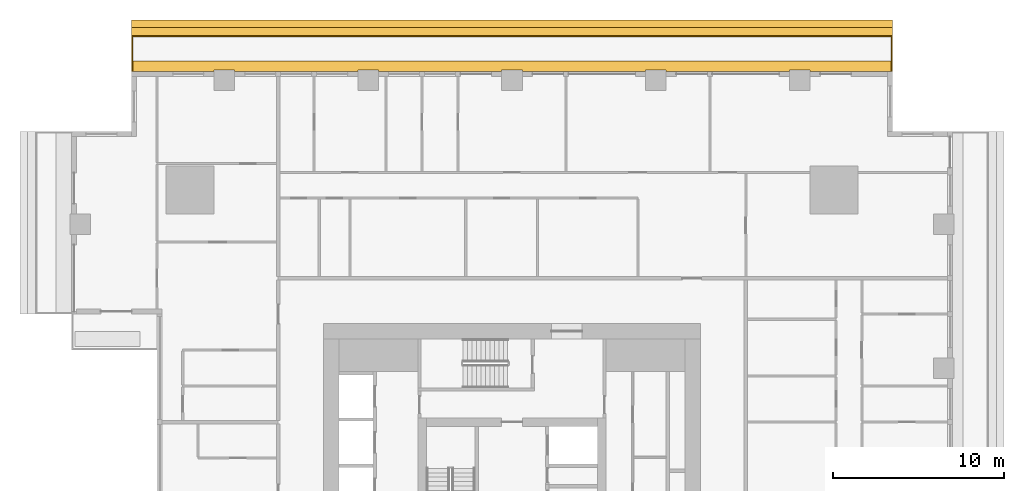
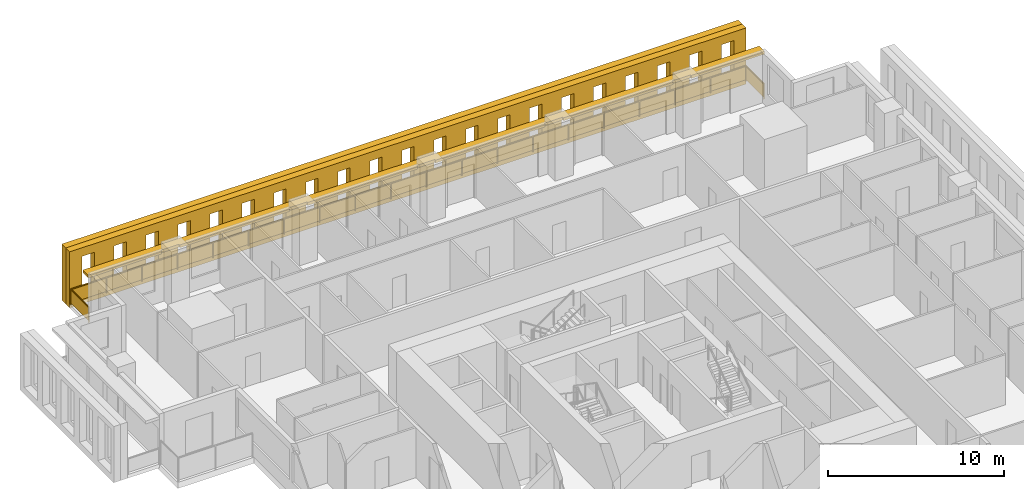
# One storey, part 14 of 14: 3 shading devices, 1 railing.
"""IFC4 building model written with IfcOpenShell, lengths in metres."""

from ifc_helpers import new_model, si_unit, direction, frame, origin, origin_2d, place, context, subcontext, project, spatial, polyline, rectangle, outline, extrude, material, layer, layer_set, type_object, element, save


model = new_model("IFC4")

# Units and contexts
model_context = context("Model", 3, precision=1e-05, world=origin(), true_north=direction((0.0, 1.0)))
body_context = subcontext(model_context, "Body", "Model", "MODEL_VIEW")
ifc_project = project(units=[si_unit("LENGTHUNIT", "METRE"), si_unit("AREAUNIT", "SQUARE_METRE"), si_unit("VOLUMEUNIT", "CUBIC_METRE"), si_unit("PLANEANGLEUNIT", "RADIAN"), si_unit("MASSUNIT", "GRAM", prefix="KILO")], contexts=[model_context])

# Site, building, storey
site_placement = place(None, origin())
site = spatial("IfcSite", under=ifc_project, at=site_placement, CompositionType="ELEMENT")
building_placement = place(site_placement, origin())
building = spatial("IfcBuilding", under=site, at=building_placement, Name="Khepri Terraces", CompositionType="ELEMENT")
storey_placement = place(building_placement, frame((0.0, 0.0, 110.39990234375)))
storey = spatial("IfcBuildingStorey", under=building, at=storey_placement, Name="L26", CompositionType="ELEMENT", Elevation=110.39990234375)

# Railing
ifc_material_1 = material(Name="Stainless steel grade 316", Category="steel")
railing_type = type_object("IfcRailingType", Name="GRD-BAL-1100", PredefinedType="GUARDRAIL", material=ifc_material_1)
railing_placement = place(storey_placement, frame((22.169921875, 25.719970703125, 0.0)))
element("IfcRailing", 1, at=railing_placement, inside=storey, type_object=railing_type, Name="Balcony guard L26 N", PredefinedType="GUARDRAIL", context=body_context, shape_type="SweptSolid", body=[
    extrude(rectangle(XDim=0.050048828125, YDim=0.06005859375, at=origin_2d()), frame((0.0, 0.0, 1.070068359375), z_axis=(0.0, 1.0, 0.0), x_axis=(-1.0, 0.0, 0.0)), (0.0, 0.0, 1.0), 2.050048828125),
    extrude(rectangle(XDim=2.0, YDim=0.011962890625, at=origin_2d()), frame((0.0, 1.02490234375, 0.10009765625), z_axis=(0.0, 0.0, 1.0), x_axis=(0.0, 1.0, 0.0)), (0.0, 0.0, 1.0), 0.93994140625),
    extrude(rectangle(XDim=0.050048828125, YDim=0.06005859375, at=origin_2d()), frame((0.0, 2.050048828125, 1.070068359375), z_axis=(-1.0, 0.0, 0.0), x_axis=(0.0, -1.0, 0.0)), (0.0, 0.0, 1.0), 44.33984375),
    extrude(rectangle(XDim=2.28369140625, YDim=0.011962890625, at=origin_2d()), frame((-1.166748046875, 2.050048828125, 0.10009765625), z_axis=(0.0, 0.0, 1.0), x_axis=(-1.0, 0.0, 0.0)), (0.0, 0.0, 1.0), 0.93994140625),
    extrude(rectangle(XDim=2.28369140625, YDim=0.011962890625, at=origin_2d()), frame((-3.50048828125, 2.050048828125, 0.10009765625), z_axis=(0.0, 0.0, 1.0), x_axis=(-1.0, 0.0, 0.0)), (0.0, 0.0, 1.0), 0.93994140625),
    extrude(rectangle(XDim=2.28369140625, YDim=0.011962890625, at=origin_2d()), frame((-5.834228515625, 2.050048828125, 0.10009765625), z_axis=(0.0, 0.0, 1.0), x_axis=(-1.0, 0.0, 0.0)), (0.0, 0.0, 1.0), 0.93994140625),
    extrude(rectangle(XDim=2.28369140625, YDim=0.011962890625, at=origin_2d()), frame((-8.16796875, 2.050048828125, 0.10009765625), z_axis=(0.0, 0.0, 1.0), x_axis=(-1.0, 0.0, 0.0)), (0.0, 0.0, 1.0), 0.93994140625),
    extrude(rectangle(XDim=2.28369140625, YDim=0.011962890625, at=origin_2d()), frame((-10.50146484375, 2.050048828125, 0.10009765625), z_axis=(0.0, 0.0, 1.0), x_axis=(-1.0, 0.0, 0.0)), (0.0, 0.0, 1.0), 0.93994140625),
    extrude(rectangle(XDim=2.28369140625, YDim=0.011962890625, at=origin_2d()), frame((-12.835205078125, 2.050048828125, 0.10009765625), z_axis=(0.0, 0.0, 1.0), x_axis=(-1.0, 0.0, 0.0)), (0.0, 0.0, 1.0), 0.93994140625),
    extrude(rectangle(XDim=2.28369140625, YDim=0.011962890625, at=origin_2d()), frame((-15.1689453125, 2.050048828125, 0.10009765625), z_axis=(0.0, 0.0, 1.0), x_axis=(-1.0, 0.0, 0.0)), (0.0, 0.0, 1.0), 0.93994140625),
    extrude(rectangle(XDim=2.28369140625, YDim=0.011962890625, at=origin_2d()), frame((-17.502685546875, 2.050048828125, 0.10009765625), z_axis=(0.0, 0.0, 1.0), x_axis=(-1.0, 0.0, 0.0)), (0.0, 0.0, 1.0), 0.93994140625),
    extrude(rectangle(XDim=2.28369140625, YDim=0.011962890625, at=origin_2d()), frame((-19.836181640625, 2.050048828125, 0.10009765625), z_axis=(0.0, 0.0, 1.0), x_axis=(-1.0, 0.0, 0.0)), (0.0, 0.0, 1.0), 0.93994140625),
    extrude(rectangle(XDim=2.28369140625, YDim=0.011962890625, at=origin_2d()), frame((-22.169921875, 2.050048828125, 0.10009765625), z_axis=(0.0, 0.0, 1.0), x_axis=(-1.0, 0.0, 0.0)), (0.0, 0.0, 1.0), 0.93994140625),
    extrude(rectangle(XDim=2.28369140625, YDim=0.011962890625, at=origin_2d()), frame((-24.503662109375, 2.050048828125, 0.10009765625), z_axis=(0.0, 0.0, 1.0), x_axis=(-1.0, 0.0, 0.0)), (0.0, 0.0, 1.0), 0.93994140625),
    extrude(rectangle(XDim=2.28369140625, YDim=0.011962890625, at=origin_2d()), frame((-26.837158203125, 2.050048828125, 0.10009765625), z_axis=(0.0, 0.0, 1.0), x_axis=(-1.0, 0.0, 0.0)), (0.0, 0.0, 1.0), 0.93994140625),
    extrude(rectangle(XDim=2.28369140625, YDim=0.011962890625, at=origin_2d()), frame((-29.1708984375, 2.050048828125, 0.10009765625), z_axis=(0.0, 0.0, 1.0), x_axis=(-1.0, 0.0, 0.0)), (0.0, 0.0, 1.0), 0.93994140625),
    extrude(rectangle(XDim=2.28369140625, YDim=0.011962890625, at=origin_2d()), frame((-31.504638671875, 2.050048828125, 0.10009765625), z_axis=(0.0, 0.0, 1.0), x_axis=(-1.0, 0.0, 0.0)), (0.0, 0.0, 1.0), 0.93994140625),
    extrude(rectangle(XDim=2.28369140625, YDim=0.011962890625, at=origin_2d()), frame((-33.83837890625, 2.050048828125, 0.10009765625), z_axis=(0.0, 0.0, 1.0), x_axis=(-1.0, 0.0, 0.0)), (0.0, 0.0, 1.0), 0.93994140625),
    extrude(rectangle(XDim=2.28369140625, YDim=0.011962890625, at=origin_2d()), frame((-36.171875, 2.050048828125, 0.10009765625), z_axis=(0.0, 0.0, 1.0), x_axis=(-1.0, 0.0, 0.0)), (0.0, 0.0, 1.0), 0.93994140625),
    extrude(rectangle(XDim=2.28369140625, YDim=0.011962890625, at=origin_2d()), frame((-38.505615234375, 2.050048828125, 0.10009765625), z_axis=(0.0, 0.0, 1.0), x_axis=(-1.0, 0.0, 0.0)), (0.0, 0.0, 1.0), 0.93994140625),
    extrude(rectangle(XDim=2.28369140625, YDim=0.011962890625, at=origin_2d()), frame((-40.83935546875, 2.050048828125, 0.10009765625), z_axis=(0.0, 0.0, 1.0), x_axis=(-1.0, 0.0, 0.0)), (0.0, 0.0, 1.0), 0.93994140625),
    extrude(rectangle(XDim=2.28369140625, YDim=0.011962890625, at=origin_2d()), frame((-43.173095703125, 2.050048828125, 0.10009765625), z_axis=(0.0, 0.0, 1.0), x_axis=(-1.0, 0.0, 0.0)), (0.0, 0.0, 1.0), 0.93994140625),
    extrude(rectangle(XDim=0.050048828125, YDim=0.06005859375, at=origin_2d()), frame((-44.33984375, 2.050048828125, 1.070068359375), z_axis=(0.0, -1.0, 0.0), x_axis=(1.0, 0.0, 0.0)), (0.0, 0.0, 1.0), 2.050048828125),
    extrude(rectangle(XDim=2.0, YDim=0.011962890625, at=origin_2d()), frame((-44.33984375, 1.02490234375, 0.10009765625), z_axis=(0.0, 0.0, 1.0), x_axis=(0.0, -1.0, 0.0)), (0.0, 0.0, 1.0), 0.93994140625),
    extrude(rectangle(XDim=0.050048828125, YDim=0.050048828125, at=origin_2d()), origin(), (0.0, 0.0, 1.0), 1.0400390625),
    extrude(rectangle(XDim=0.050048828125, YDim=0.050048828125, at=origin_2d()), frame((0.0, 2.050048828125, 0.0)), (0.0, 0.0, 1.0), 1.0400390625),
    extrude(rectangle(XDim=0.050048828125, YDim=0.050048828125, at=origin_2d()), frame((-2.333740234375, 2.050048828125, 0.0)), (0.0, 0.0, 1.0), 1.0400390625),
    extrude(rectangle(XDim=0.050048828125, YDim=0.050048828125, at=origin_2d()), frame((-4.667236328125, 2.050048828125, 0.0)), (0.0, 0.0, 1.0), 1.0400390625),
    extrude(rectangle(XDim=0.050048828125, YDim=0.050048828125, at=origin_2d()), frame((-7.0009765625, 2.050048828125, 0.0)), (0.0, 0.0, 1.0), 1.0400390625),
    extrude(rectangle(XDim=0.050048828125, YDim=0.050048828125, at=origin_2d()), frame((-9.334716796875, 2.050048828125, 0.0)), (0.0, 0.0, 1.0), 1.0400390625),
    extrude(rectangle(XDim=0.050048828125, YDim=0.050048828125, at=origin_2d()), frame((-11.66845703125, 2.050048828125, 0.0)), (0.0, 0.0, 1.0), 1.0400390625),
    extrude(rectangle(XDim=0.050048828125, YDim=0.050048828125, at=origin_2d()), frame((-14.001953125, 2.050048828125, 0.0)), (0.0, 0.0, 1.0), 1.0400390625),
    extrude(rectangle(XDim=0.050048828125, YDim=0.050048828125, at=origin_2d()), frame((-16.335693359375, 2.050048828125, 0.0)), (0.0, 0.0, 1.0), 1.0400390625),
    extrude(rectangle(XDim=0.050048828125, YDim=0.050048828125, at=origin_2d()), frame((-18.66943359375, 2.050048828125, 0.0)), (0.0, 0.0, 1.0), 1.0400390625),
    extrude(rectangle(XDim=0.050048828125, YDim=0.050048828125, at=origin_2d()), frame((-21.003173828125, 2.050048828125, 0.0)), (0.0, 0.0, 1.0), 1.0400390625),
    extrude(rectangle(XDim=0.050048828125, YDim=0.050048828125, at=origin_2d()), frame((-23.336669921875, 2.050048828125, 0.0)), (0.0, 0.0, 1.0), 1.0400390625),
    extrude(rectangle(XDim=0.050048828125, YDim=0.050048828125, at=origin_2d()), frame((-25.67041015625, 2.050048828125, 0.0)), (0.0, 0.0, 1.0), 1.0400390625),
    extrude(rectangle(XDim=0.050048828125, YDim=0.050048828125, at=origin_2d()), frame((-28.004150390625, 2.050048828125, 0.0)), (0.0, 0.0, 1.0), 1.0400390625),
    extrude(rectangle(XDim=0.050048828125, YDim=0.050048828125, at=origin_2d()), frame((-30.337890625, 2.050048828125, 0.0)), (0.0, 0.0, 1.0), 1.0400390625),
    extrude(rectangle(XDim=0.050048828125, YDim=0.050048828125, at=origin_2d()), frame((-32.67138671875, 2.050048828125, 0.0)), (0.0, 0.0, 1.0), 1.0400390625),
    extrude(rectangle(XDim=0.050048828125, YDim=0.050048828125, at=origin_2d()), frame((-35.005126953125, 2.050048828125, 0.0)), (0.0, 0.0, 1.0), 1.0400390625),
    extrude(rectangle(XDim=0.050048828125, YDim=0.050048828125, at=origin_2d()), frame((-37.3388671875, 2.050048828125, 0.0)), (0.0, 0.0, 1.0), 1.0400390625),
    extrude(rectangle(XDim=0.050048828125, YDim=0.050048828125, at=origin_2d()), frame((-39.672607421875, 2.050048828125, 0.0)), (0.0, 0.0, 1.0), 1.0400390625),
    extrude(rectangle(XDim=0.050048828125, YDim=0.050048828125, at=origin_2d()), frame((-42.006103515625, 2.050048828125, 0.0)), (0.0, 0.0, 1.0), 1.0400390625),
    extrude(rectangle(XDim=0.050048828125, YDim=0.050048828125, at=origin_2d()), frame((-44.33984375, 2.050048828125, 0.0)), (0.0, 0.0, 1.0), 1.0400390625),
    extrude(rectangle(XDim=0.050048828125, YDim=0.050048828125, at=origin_2d()), frame((-44.33984375, 0.0, 0.0)), (0.0, 0.0, 1.0), 1.0400390625),
])

# Shading devices
ifc_material_2 = material(Name="Precast concrete C50/60 warm stone", Category="masonry")
shading_device_type_1 = type_object("IfcShadingDeviceType", Name="SCR-CELL-INNER-450", PredefinedType="USERDEFINED", material=ifc_material_2)
shading_device_1_placement = place(storey_placement, frame((22.219970703125, 27.820068359375, -0.25), z_axis=(0.0, 1.0, 0.0), x_axis=(-1.0, 0.0, 0.0)))
element("IfcShadingDevice", 2, at=shading_device_1_placement, inside=storey, type_object=shading_device_type_1, Name="Cell screen L26 N in", ObjectType="SCREEN", PredefinedType="USERDEFINED", context=body_context, shape_type="SweptSolid", body=[
    extrude(outline(polyline([(0.0, 0.0), (44.43994140625, 0.0), (44.43994140625, 3.89990234375), (0.0, 3.89990234375), (0.0, 0.0)]), holes=[polyline([(0.818359375, 0.699951171875), (1.62158203125, 0.699951171875), (1.62158203125, 3.300048828125), (0.818359375, 3.300048828125), (0.818359375, 0.699951171875)]), polyline([(2.91845703125, 0.699951171875), (3.7216796875, 0.699951171875), (3.7216796875, 3.300048828125), (2.91845703125, 3.300048828125), (2.91845703125, 0.699951171875)]), polyline([(5.018310546875, 0.699951171875), (5.821533203125, 0.699951171875), (5.821533203125, 3.300048828125), (5.018310546875, 3.300048828125), (5.018310546875, 0.699951171875)]), polyline([(7.118408203125, 0.699951171875), (7.921630859375, 0.699951171875), (7.921630859375, 3.300048828125), (7.118408203125, 3.300048828125), (7.118408203125, 0.699951171875)]), polyline([(9.218505859375, 0.699951171875), (10.021484375, 0.699951171875), (10.021484375, 3.300048828125), (9.218505859375, 3.300048828125), (9.218505859375, 0.699951171875)]), polyline([(11.318359375, 0.699951171875), (12.12158203125, 0.699951171875), (12.12158203125, 3.300048828125), (11.318359375, 3.300048828125), (11.318359375, 0.699951171875)]), polyline([(13.41845703125, 0.699951171875), (14.2216796875, 0.699951171875), (14.2216796875, 3.300048828125), (13.41845703125, 3.300048828125), (13.41845703125, 0.699951171875)]), polyline([(15.518310546875, 0.699951171875), (16.321533203125, 0.699951171875), (16.321533203125, 3.300048828125), (15.518310546875, 3.300048828125), (15.518310546875, 0.699951171875)]), polyline([(17.618408203125, 0.699951171875), (18.421630859375, 0.699951171875), (18.421630859375, 3.300048828125), (17.618408203125, 3.300048828125), (17.618408203125, 0.699951171875)]), polyline([(19.718505859375, 0.699951171875), (20.521484375, 0.699951171875), (20.521484375, 3.300048828125), (19.718505859375, 3.300048828125), (19.718505859375, 0.699951171875)]), polyline([(21.818359375, 0.699951171875), (22.62158203125, 0.699951171875), (22.62158203125, 3.300048828125), (21.818359375, 3.300048828125), (21.818359375, 0.699951171875)]), polyline([(23.91845703125, 0.699951171875), (24.7216796875, 0.699951171875), (24.7216796875, 3.300048828125), (23.91845703125, 3.300048828125), (23.91845703125, 0.699951171875)]), polyline([(26.018310546875, 0.699951171875), (26.821533203125, 0.699951171875), (26.821533203125, 3.300048828125), (26.018310546875, 3.300048828125), (26.018310546875, 0.699951171875)]), polyline([(28.118408203125, 0.699951171875), (28.921630859375, 0.699951171875), (28.921630859375, 3.300048828125), (28.118408203125, 3.300048828125), (28.118408203125, 0.699951171875)]), polyline([(30.218505859375, 0.699951171875), (31.021484375, 0.699951171875), (31.021484375, 3.300048828125), (30.218505859375, 3.300048828125), (30.218505859375, 0.699951171875)]), polyline([(32.318359375, 0.699951171875), (33.12158203125, 0.699951171875), (33.12158203125, 3.300048828125), (32.318359375, 3.300048828125), (32.318359375, 0.699951171875)]), polyline([(34.41845703125, 0.699951171875), (35.2216796875, 0.699951171875), (35.2216796875, 3.300048828125), (34.41845703125, 3.300048828125), (34.41845703125, 0.699951171875)]), polyline([(36.518310546875, 0.699951171875), (37.321533203125, 0.699951171875), (37.321533203125, 3.300048828125), (36.518310546875, 3.300048828125), (36.518310546875, 0.699951171875)]), polyline([(38.618408203125, 0.699951171875), (39.421630859375, 0.699951171875), (39.421630859375, 3.300048828125), (38.618408203125, 3.300048828125), (38.618408203125, 0.699951171875)]), polyline([(40.718505859375, 0.699951171875), (41.521484375, 0.699951171875), (41.521484375, 3.300048828125), (40.718505859375, 3.300048828125), (40.718505859375, 0.699951171875)]), polyline([(42.818359375, 0.699951171875), (43.62158203125, 0.699951171875), (43.62158203125, 3.300048828125), (42.818359375, 3.300048828125), (42.818359375, 0.699951171875)])]), origin(), (0.0, 0.0, 1.0), 0.449951171875),
])
shading_device_type_2 = type_object("IfcShadingDeviceType", Name="SCR-CELL-OUTER-450", PredefinedType="USERDEFINED", material=ifc_material_2)
shading_device_2_placement = place(storey_placement, frame((22.219970703125, 28.27001953125, -0.25), z_axis=(0.0, 1.0, 0.0), x_axis=(-1.0, 0.0, 0.0)))
element("IfcShadingDevice", 3, at=shading_device_2_placement, inside=storey, type_object=shading_device_type_2, Name="Cell screen L26 N out", ObjectType="SCREEN", PredefinedType="USERDEFINED", context=body_context, shape_type="SweptSolid", body=[
    extrude(outline(polyline([(0.0, 0.0), (44.43994140625, 0.0), (44.43994140625, 3.89990234375), (0.0, 3.89990234375), (0.0, 0.0)]), holes=[polyline([(0.468505859375, 0.449951171875), (1.9716796875, 0.449951171875), (1.9716796875, 3.550048828125), (0.468505859375, 3.550048828125), (0.468505859375, 0.449951171875)]), polyline([(2.568359375, 0.449951171875), (4.071533203125, 0.449951171875), (4.071533203125, 3.550048828125), (2.568359375, 3.550048828125), (2.568359375, 0.449951171875)]), polyline([(4.66845703125, 0.449951171875), (6.171630859375, 0.449951171875), (6.171630859375, 3.550048828125), (4.66845703125, 3.550048828125), (4.66845703125, 0.449951171875)]), polyline([(6.768310546875, 0.449951171875), (8.271484375, 0.449951171875), (8.271484375, 3.550048828125), (6.768310546875, 3.550048828125), (6.768310546875, 0.449951171875)]), polyline([(8.868408203125, 0.449951171875), (10.37158203125, 0.449951171875), (10.37158203125, 3.550048828125), (8.868408203125, 3.550048828125), (8.868408203125, 0.449951171875)]), polyline([(10.968505859375, 0.449951171875), (12.4716796875, 0.449951171875), (12.4716796875, 3.550048828125), (10.968505859375, 3.550048828125), (10.968505859375, 0.449951171875)]), polyline([(13.068359375, 0.449951171875), (14.571533203125, 0.449951171875), (14.571533203125, 3.550048828125), (13.068359375, 3.550048828125), (13.068359375, 0.449951171875)]), polyline([(15.16845703125, 0.449951171875), (16.671630859375, 0.449951171875), (16.671630859375, 3.550048828125), (15.16845703125, 3.550048828125), (15.16845703125, 0.449951171875)]), polyline([(17.268310546875, 0.449951171875), (18.771484375, 0.449951171875), (18.771484375, 3.550048828125), (17.268310546875, 3.550048828125), (17.268310546875, 0.449951171875)]), polyline([(19.368408203125, 0.449951171875), (20.87158203125, 0.449951171875), (20.87158203125, 3.550048828125), (19.368408203125, 3.550048828125), (19.368408203125, 0.449951171875)]), polyline([(21.468505859375, 0.449951171875), (22.9716796875, 0.449951171875), (22.9716796875, 3.550048828125), (21.468505859375, 3.550048828125), (21.468505859375, 0.449951171875)]), polyline([(23.568359375, 0.449951171875), (25.071533203125, 0.449951171875), (25.071533203125, 3.550048828125), (23.568359375, 3.550048828125), (23.568359375, 0.449951171875)]), polyline([(25.66845703125, 0.449951171875), (27.171630859375, 0.449951171875), (27.171630859375, 3.550048828125), (25.66845703125, 3.550048828125), (25.66845703125, 0.449951171875)]), polyline([(27.768310546875, 0.449951171875), (29.271484375, 0.449951171875), (29.271484375, 3.550048828125), (27.768310546875, 3.550048828125), (27.768310546875, 0.449951171875)]), polyline([(29.868408203125, 0.449951171875), (31.37158203125, 0.449951171875), (31.37158203125, 3.550048828125), (29.868408203125, 3.550048828125), (29.868408203125, 0.449951171875)]), polyline([(31.968505859375, 0.449951171875), (33.4716796875, 0.449951171875), (33.4716796875, 3.550048828125), (31.968505859375, 3.550048828125), (31.968505859375, 0.449951171875)]), polyline([(34.068359375, 0.449951171875), (35.571533203125, 0.449951171875), (35.571533203125, 3.550048828125), (34.068359375, 3.550048828125), (34.068359375, 0.449951171875)]), polyline([(36.16845703125, 0.449951171875), (37.671630859375, 0.449951171875), (37.671630859375, 3.550048828125), (36.16845703125, 3.550048828125), (36.16845703125, 0.449951171875)]), polyline([(38.268310546875, 0.449951171875), (39.771484375, 0.449951171875), (39.771484375, 3.550048828125), (38.268310546875, 3.550048828125), (38.268310546875, 0.449951171875)]), polyline([(40.368408203125, 0.449951171875), (41.87158203125, 0.449951171875), (41.87158203125, 3.550048828125), (40.368408203125, 3.550048828125), (40.368408203125, 0.449951171875)]), polyline([(42.468505859375, 0.449951171875), (43.9716796875, 0.449951171875), (43.9716796875, 3.550048828125), (42.468505859375, 3.550048828125), (42.468505859375, 0.449951171875)])]), origin(), (0.0, 0.0, 1.0), 0.449951171875),
])
ifc_layer = layer(ifc_material_2, 0.199951171875, Name="Precast concrete C50/60 warm stone", Category="masonry")
ifc_layer_set = layer_set([ifc_layer], Name="Precast concrete C50/60 warm stone")
shading_device_type_3 = type_object("IfcShadingDeviceType", Name="SSH-BAND-STONE-200-N", PredefinedType="USERDEFINED", material=ifc_layer_set)
shading_device_3_placement = place(storey_placement, frame((0.0, 0.0, 3.10009765625)))
element("IfcShadingDevice", 4, at=shading_device_3_placement, inside=storey, type_object=shading_device_type_3, Name="Sunshade band L26 N", ObjectType="SUNSHADE", PredefinedType="USERDEFINED", context=body_context, shape_type="SweptSolid", body=[
    extrude(outline(polyline([(17.39990234375, 25.719970703125), (22.219970703125, 25.719970703125), (22.219970703125, 26.320068359375), (-22.219970703125, 26.320068359375), (-22.219970703125, 25.719970703125), (-17.39990234375, 25.719970703125), (-17.39990234375, 25.800048828125), (-16.199951171875, 25.800048828125), (-16.199951171875, 25.719970703125), (-9.0, 25.719970703125), (-9.0, 25.800048828125), (-7.800048828125, 25.800048828125), (-7.800048828125, 25.719970703125), (-0.60009765625, 25.719970703125), (-0.60009765625, 25.800048828125), (0.60009765625, 25.800048828125), (0.60009765625, 25.719970703125), (7.800048828125, 25.719970703125), (7.800048828125, 25.800048828125), (9.0, 25.800048828125), (9.0, 25.719970703125), (16.199951171875, 25.719970703125), (16.199951171875, 25.800048828125), (17.39990234375, 25.800048828125), (17.39990234375, 25.719970703125)])), origin(), (0.0, 0.0, 1.0), 0.199951171875),
])

save(model, "model.ifc")
